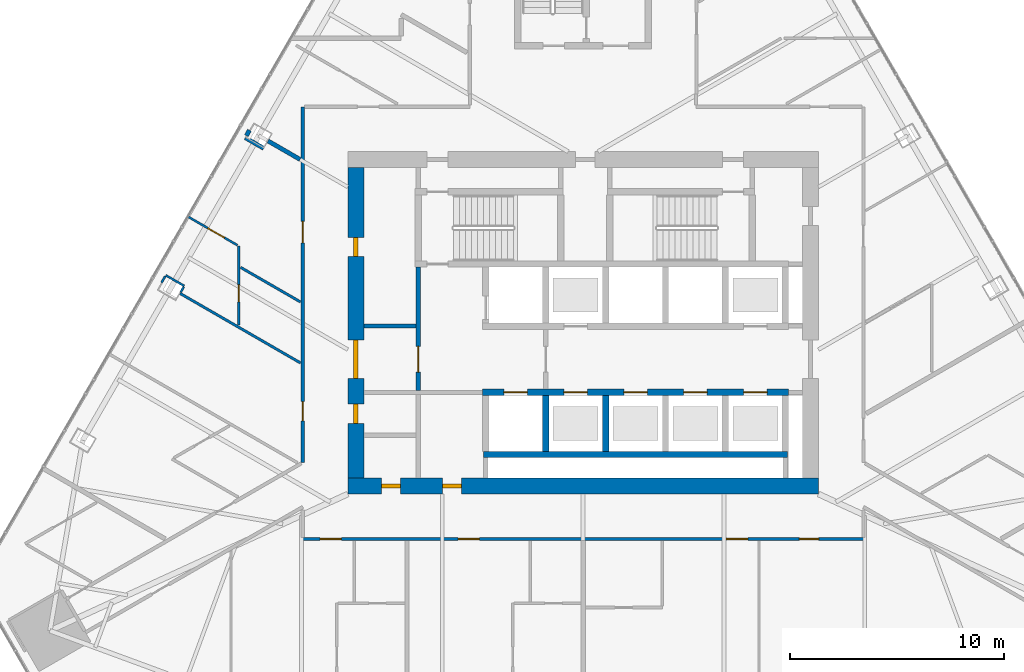
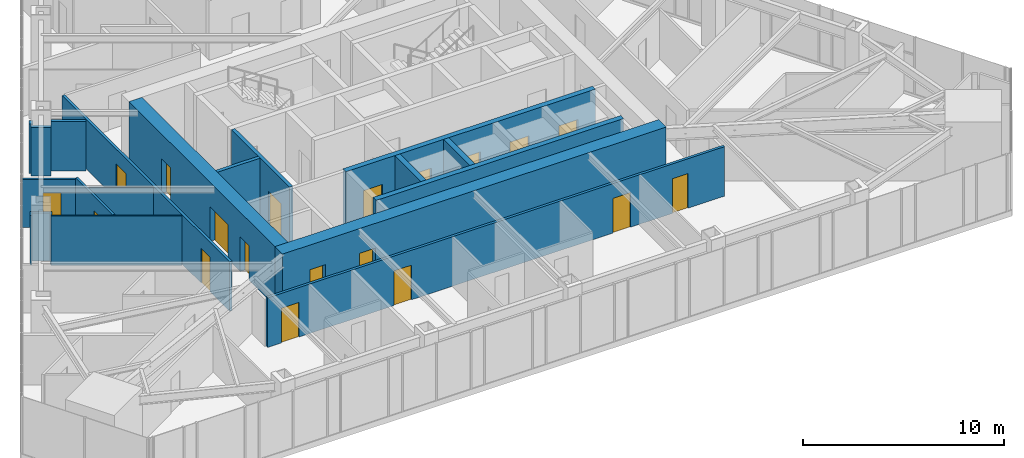
# One storey, part 19 of 24: 20 walls, 19 doors, 19 openings.
"""IFC4 building model written with IfcOpenShell, lengths in metres."""

from ifc_helpers import new_model, si_unit, direction, frame, frame_2d, origin, place, context, subcontext, project, spatial, rectangle, extrude, material, layer, layer_set, type_object, element, fill, save


model = new_model("IFC4")

# Units and contexts
model_context = context("Model", 3, precision=1e-05, world=origin(), true_north=direction((0.0, 1.0)))
body_context = subcontext(model_context, "Body", "Model", "MODEL_VIEW")
ifc_project = project(units=[si_unit("LENGTHUNIT", "METRE"), si_unit("AREAUNIT", "SQUARE_METRE"), si_unit("VOLUMEUNIT", "CUBIC_METRE"), si_unit("PLANEANGLEUNIT", "RADIAN"), si_unit("MASSUNIT", "GRAM", prefix="KILO")], contexts=[model_context])

# Site, building, storey
site_placement = place(None, origin())
site = spatial("IfcSite", under=ifc_project, at=site_placement, CompositionType="ELEMENT")
building_placement = place(site_placement, origin())
building = spatial("IfcBuilding", under=site, at=building_placement, Name="Firuza Gate Tower and Library", CompositionType="ELEMENT")
storey_placement = place(building_placement, frame((0.0, 0.0, 237.699951171875)))
storey = spatial("IfcBuildingStorey", under=building, at=storey_placement, Name="L56", CompositionType="ELEMENT", Elevation=237.699951171875)

# Wall
ifc_material_1 = material(Name="Plasterboard on steel studs", Category="steel")
ifc_layer_1 = layer(ifc_material_1, 0.199951171875)
ifc_layer_set_1 = layer_set([ifc_layer_1], Name="Core partition 200 EI 120")
wall_type_1 = type_object("IfcWallType", Name="Core partition 200 EI 120", PredefinedType="PARTITIONING", material=ifc_layer_set_1)
wall_1_placement = place(storey_placement, frame((64.75, 74.85009765625, 0.0), z_axis=(0.0, 0.0, 1.0), x_axis=(1.0, 0.0, 0.0)))
element("IfcWall", 1, at=wall_1_placement, inside=storey, type_object=wall_type_1, Name="Core partition L56 4", PredefinedType="PARTITIONING", context=body_context, shape_type="SweptSolid", body=[
    extrude(rectangle(XDim=2.449951171875, YDim=0.199951171875, at=frame_2d((1.22509765625, 0.0))), origin(), (0.0, 0.0, 1.0), 3.60009765625),
])

# Wall, opening, door
wall_2_placement = place(storey_placement, frame((67.300048828125, 71.85009765625, 0.0), z_axis=(0.0, 0.0, 1.0), x_axis=(0.0, 1.0, 0.0)))
wall_2 = element("IfcWall", 2, at=wall_2_placement, inside=storey, type_object=wall_type_1, Name="Core partition L56 8", PredefinedType="PARTITIONING", context=body_context, shape_type="SweptSolid", body=[
    extrude(rectangle(XDim=5.75, YDim=0.199951171875, at=frame_2d((2.875, 0.0))), origin(), (0.0, 0.0, 1.0), 3.60009765625),
])
opening_1_placement = place(wall_2_placement, frame((0.85009765625, 0.0, 0.0)))
opening_1 = element("IfcOpeningElement", 3, at=opening_1_placement, cuts=wall_2, Name="Opening L56-K19", PredefinedType="OPENING", context=body_context, shape_type="SweptSolid", body=[
    extrude(rectangle(XDim=1.199951171875, YDim=2.10009765625, at=frame_2d((0.60009765625, 1.050048828125))), frame((0.0, 0.10986328125, 0.0), z_axis=(0.0, -1.0, 0.0), x_axis=(1.0, 0.0, 0.0)), (0.0, 0.0, 1.0), 0.219970703125),
])
ifc_material_2 = material(Name="Steel", Category="steel")
door_type_1 = type_object("IfcDoorType", Name="Fire door 1200x2100 FD90S", OperationType="NOTDEFINED", PredefinedType="DOOR", material=ifc_material_2)
door_1_placement = place(opening_1_placement, origin())
door_1 = element("IfcDoor", 4, at=door_1_placement, inside=storey, type_object=door_type_1, Name="Door L56-K19", OperationType="SINGLE_SWING_RIGHT", OverallHeight=2.10009765625, OverallWidth=1.199951171875, PredefinedType="DOOR", context=body_context, shape_type="SweptSolid", body=[
    extrude(rectangle(XDim=1.199951171875, YDim=2.10009765625, at=frame_2d((0.60009765625, 1.050048828125))), frame((0.0, 0.02490234375, 0.0), z_axis=(0.0, -1.0, 0.0), x_axis=(1.0, 0.0, 0.0)), (0.0, 0.0, 1.0), 0.050048828125),
])
fill(opening_1, door_1)

# Wall
ifc_material_3 = material(Name="Concrete C80/95", Category="concrete")
ifc_layer_2 = layer(ifc_material_3, 0.300048828125)
ifc_layer_set_2 = layer_set([ifc_layer_2], Name="Core wall 300 C80/95")
wall_type_2 = type_object("IfcWallType", Name="Core wall 300 C80/95", PredefinedType="SHEAR", material=ifc_layer_set_2)
wall_3_placement = place(storey_placement, frame((70.35009765625, 68.85009765625, 0.0), z_axis=(0.0, 0.0, 1.0), x_axis=(1.0, 0.0, 0.0)))
element("IfcWall", 5, at=wall_3_placement, inside=storey, type_object=wall_type_2, Name="Core wall L56 5", PredefinedType="SHEAR", context=body_context, shape_type="SweptSolid", body=[
    extrude(rectangle(XDim=14.199951171875, YDim=0.300048828125, at=frame_2d((7.10009765625, 0.0))), origin(), (0.0, 0.0, 1.0), 3.60009765625),
])

# Wall, openings, doors
wall_4_placement = place(storey_placement, frame((70.300048828125, 71.75, 0.0), z_axis=(0.0, 0.0, 1.0), x_axis=(1.0, 0.0, 0.0)))
wall_4 = element("IfcWall", 6, at=wall_4_placement, inside=storey, type_object=wall_type_2, Name="Core wall L56 6", PredefinedType="SHEAR", context=body_context, shape_type="SweptSolid", body=[
    extrude(rectangle(XDim=14.300048828125, YDim=0.300048828125, at=frame_2d((7.14990234375, 0.0))), origin(), (0.0, 0.0, 1.0), 3.60009765625),
])
opening_2_placement = place(wall_4_placement, frame((1.0, 0.0, 0.0)))
opening_2 = element("IfcOpeningElement", 7, at=opening_2_placement, cuts=wall_4, Name="Opening LD-FF1-L56", PredefinedType="OPENING", context=body_context, shape_type="SweptSolid", body=[
    extrude(rectangle(XDim=1.10009765625, YDim=2.10009765625, at=frame_2d((0.550048828125, 1.050048828125))), frame((0.0, 0.16015625, 0.0), z_axis=(0.0, -1.0, 0.0), x_axis=(1.0, 0.0, 0.0)), (0.0, 0.0, 1.0), 0.320068359375),
])
opening_3_placement = place(wall_4_placement, frame((3.800048828125, 0.0, 0.0)))
opening_3 = element("IfcOpeningElement", 8, at=opening_3_placement, cuts=wall_4, Name="Opening LD-MR1-L56", PredefinedType="OPENING", context=body_context, shape_type="SweptSolid", body=[
    extrude(rectangle(XDim=1.10009765625, YDim=2.10009765625, at=frame_2d((0.550048828125, 1.050048828125))), frame((0.0, 0.16015625, 0.0), z_axis=(0.0, -1.0, 0.0), x_axis=(1.0, 0.0, 0.0)), (0.0, 0.0, 1.0), 0.320068359375),
])
opening_4_placement = place(wall_4_placement, frame((6.60009765625, 0.0, 0.0)))
opening_4 = element("IfcOpeningElement", 9, at=opening_4_placement, cuts=wall_4, Name="Opening LD-MR2-L56", PredefinedType="OPENING", context=body_context, shape_type="SweptSolid", body=[
    extrude(rectangle(XDim=1.10009765625, YDim=2.10009765625, at=frame_2d((0.550048828125, 1.050048828125))), frame((0.0, 0.16015625, 0.0), z_axis=(0.0, -1.0, 0.0), x_axis=(1.0, 0.0, 0.0)), (0.0, 0.0, 1.0), 0.320068359375),
])
opening_5_placement = place(wall_4_placement, frame((9.39990234375, 0.0, 0.0)))
opening_5 = element("IfcOpeningElement", 10, at=opening_5_placement, cuts=wall_4, Name="Opening LD-MR3-L56", PredefinedType="OPENING", context=body_context, shape_type="SweptSolid", body=[
    extrude(rectangle(XDim=1.10009765625, YDim=2.10009765625, at=frame_2d((0.550048828125, 1.050048828125))), frame((0.0, 0.16015625, 0.0), z_axis=(0.0, -1.0, 0.0), x_axis=(1.0, 0.0, 0.0)), (0.0, 0.0, 1.0), 0.320068359375),
])
opening_6_placement = place(wall_4_placement, frame((12.199951171875, 0.0, 0.0)))
opening_6 = element("IfcOpeningElement", 11, at=opening_6_placement, cuts=wall_4, Name="Opening LD-MR5-L56", PredefinedType="OPENING", context=body_context, shape_type="SweptSolid", body=[
    extrude(rectangle(XDim=1.10009765625, YDim=2.10009765625, at=frame_2d((0.550048828125, 1.050048828125))), frame((0.0, 0.16015625, 0.0), z_axis=(0.0, -1.0, 0.0), x_axis=(1.0, 0.0, 0.0)), (0.0, 0.0, 1.0), 0.320068359375),
])
ifc_material_4 = material(Name="Stainless steel", Category="steel")
door_type_2 = type_object("IfcDoorType", Name="Lift landing door 1100x2100", OperationType="DOUBLE_DOOR_SLIDING", PredefinedType="DOOR", material=ifc_material_4)
door_2_placement = place(opening_2_placement, origin())
door_2 = element("IfcDoor", 12, at=door_2_placement, inside=storey, type_object=door_type_2, Name="Landing door FF1 L56", OperationType="DOUBLE_DOOR_SLIDING", OverallHeight=2.10009765625, OverallWidth=1.10009765625, PredefinedType="DOOR", context=body_context, shape_type="SweptSolid", body=[
    extrude(rectangle(XDim=1.10009765625, YDim=2.10009765625, at=frame_2d((0.550048828125, 1.050048828125))), frame((0.0, 0.02490234375, 0.0), z_axis=(0.0, -1.0, 0.0), x_axis=(1.0, 0.0, 0.0)), (0.0, 0.0, 1.0), 0.050048828125),
])
fill(opening_2, door_2)
door_3_placement = place(opening_3_placement, origin())
door_3 = element("IfcDoor", 13, at=door_3_placement, inside=storey, type_object=door_type_2, Name="Landing door MR1 L56", OperationType="DOUBLE_DOOR_SLIDING", OverallHeight=2.10009765625, OverallWidth=1.10009765625, PredefinedType="DOOR", context=body_context, shape_type="SweptSolid", body=[
    extrude(rectangle(XDim=1.10009765625, YDim=2.10009765625, at=frame_2d((0.550048828125, 1.050048828125))), frame((0.0, 0.02490234375, 0.0), z_axis=(0.0, -1.0, 0.0), x_axis=(1.0, 0.0, 0.0)), (0.0, 0.0, 1.0), 0.050048828125),
])
fill(opening_3, door_3)
door_4_placement = place(opening_4_placement, origin())
door_4 = element("IfcDoor", 14, at=door_4_placement, inside=storey, type_object=door_type_2, Name="Landing door MR2 L56", OperationType="DOUBLE_DOOR_SLIDING", OverallHeight=2.10009765625, OverallWidth=1.10009765625, PredefinedType="DOOR", context=body_context, shape_type="SweptSolid", body=[
    extrude(rectangle(XDim=1.10009765625, YDim=2.10009765625, at=frame_2d((0.550048828125, 1.050048828125))), frame((0.0, 0.02490234375, 0.0), z_axis=(0.0, -1.0, 0.0), x_axis=(1.0, 0.0, 0.0)), (0.0, 0.0, 1.0), 0.050048828125),
])
fill(opening_4, door_4)
door_5_placement = place(opening_5_placement, origin())
door_5 = element("IfcDoor", 15, at=door_5_placement, inside=storey, type_object=door_type_2, Name="Landing door MR3 L56", OperationType="DOUBLE_DOOR_SLIDING", OverallHeight=2.10009765625, OverallWidth=1.10009765625, PredefinedType="DOOR", context=body_context, shape_type="SweptSolid", body=[
    extrude(rectangle(XDim=1.10009765625, YDim=2.10009765625, at=frame_2d((0.550048828125, 1.050048828125))), frame((0.0, 0.02490234375, 0.0), z_axis=(0.0, -1.0, 0.0), x_axis=(1.0, 0.0, 0.0)), (0.0, 0.0, 1.0), 0.050048828125),
])
fill(opening_5, door_5)
door_6_placement = place(opening_6_placement, origin())
door_6 = element("IfcDoor", 16, at=door_6_placement, inside=storey, type_object=door_type_2, Name="Landing door MR5 L56", OperationType="DOUBLE_DOOR_SLIDING", OverallHeight=2.10009765625, OverallWidth=1.10009765625, PredefinedType="DOOR", context=body_context, shape_type="SweptSolid", body=[
    extrude(rectangle(XDim=1.10009765625, YDim=2.10009765625, at=frame_2d((0.550048828125, 1.050048828125))), frame((0.0, 0.02490234375, 0.0), z_axis=(0.0, -1.0, 0.0), x_axis=(1.0, 0.0, 0.0)), (0.0, 0.0, 1.0), 0.050048828125),
])
fill(opening_6, door_6)

# Walls
for number, where, z_axis, x_axis, name in (
    (17, (73.25, 69.0, 0.0), (0.0, 0.0, 1.0), (0.0, 1.0, 0.0), "Core wall L56 10"),
    (18, (76.050048828125, 69.0, 0.0), (0.0, 0.0, 1.0), (0.0, 1.0, 0.0), "Core wall L56 12"),
):
    element("IfcWall", number, at=place(storey_placement, frame(where, z_axis=z_axis, x_axis=x_axis)), inside=storey, type_object=wall_type_2, Name=name, PredefinedType="SHEAR", context=body_context, shape_type="SweptSolid", body=[
        extrude(rectangle(XDim=2.60009765625, YDim=0.300048828125, at=frame_2d((1.300048828125, 0.0))), origin(), (0.0, 0.0, 1.0), 3.60009765625),
    ])

# Wall, openings, doors
ifc_material_5 = material(Name="Concrete C80/95", Category="concrete")
ifc_layer_3 = layer(ifc_material_5, 0.75)
ifc_layer_set_3 = layer_set([ifc_layer_3], Name="Core wall 750 C80/95")
wall_type_3 = type_object("IfcWallType", Name="Core wall 750 C80/95", PredefinedType="SHEAR", material=ifc_layer_set_3)
wall_5_placement = place(storey_placement, frame((64.0, 67.375, 0.0), z_axis=(0.0, 0.0, 1.0), x_axis=(1.0, 0.0, 0.0)))
wall_5 = element("IfcWall", 19, at=wall_5_placement, inside=storey, type_object=wall_type_3, Name="Core wall L56 1", PredefinedType="SHEAR", context=body_context, shape_type="SweptSolid", body=[
    extrude(rectangle(XDim=22.0, YDim=0.75, at=frame_2d((11.0, 0.0))), origin(), (0.0, 0.0, 1.0), 3.60009765625),
])
opening_7_placement = place(wall_5_placement, frame((1.574951171875, 0.0, 0.0)))
opening_7 = element("IfcOpeningElement", 20, at=opening_7_placement, cuts=wall_5, Name="Opening L56-K22", PredefinedType="OPENING", context=body_context, shape_type="SweptSolid", body=[
    extrude(rectangle(XDim=0.89990234375, YDim=2.10009765625, at=frame_2d((0.449951171875, 1.050048828125))), frame((0.0, 0.385009765625, 0.0), z_axis=(0.0, -1.0, 0.0), x_axis=(1.0, 0.0, 0.0)), (0.0, 0.0, 1.0), 0.77001953125),
])
opening_8_placement = place(wall_5_placement, frame((4.425048828125, 0.0, 0.0)))
opening_8 = element("IfcOpeningElement", 21, at=opening_8_placement, cuts=wall_5, Name="Opening L56-K24", PredefinedType="OPENING", context=body_context, shape_type="SweptSolid", body=[
    extrude(rectangle(XDim=0.89990234375, YDim=2.10009765625, at=frame_2d((0.449951171875, 1.050048828125))), frame((0.0, 0.385009765625, 0.0), z_axis=(0.0, -1.0, 0.0), x_axis=(1.0, 0.0, 0.0)), (0.0, 0.0, 1.0), 0.77001953125),
])
ifc_material_6 = material(Name="Steel", Category="steel")
door_type_3 = type_object("IfcDoorType", Name="Fire door 900x2100 FD30S", OperationType="NOTDEFINED", PredefinedType="DOOR", material=ifc_material_6)
door_7_placement = place(opening_7_placement, origin())
door_7 = element("IfcDoor", 22, at=door_7_placement, inside=storey, type_object=door_type_3, Name="Door L56-K22", OperationType="SINGLE_SWING_LEFT", OverallHeight=2.10009765625, OverallWidth=0.89990234375, PredefinedType="DOOR", context=body_context, shape_type="SweptSolid", body=[
    extrude(rectangle(XDim=0.89990234375, YDim=2.10009765625, at=frame_2d((0.449951171875, 1.050048828125))), frame((0.0, 0.094970703125, 0.0), z_axis=(0.0, -1.0, 0.0), x_axis=(1.0, 0.0, 0.0)), (0.0, 0.0, 1.0), 0.18994140625),
])
fill(opening_7, door_7)
door_8_placement = place(opening_8_placement, origin())
door_8 = element("IfcDoor", 23, at=door_8_placement, inside=storey, type_object=door_type_3, Name="Door L56-K24", OperationType="SINGLE_SWING_LEFT", OverallHeight=2.10009765625, OverallWidth=0.89990234375, PredefinedType="DOOR", context=body_context, shape_type="SweptSolid", body=[
    extrude(rectangle(XDim=0.89990234375, YDim=2.10009765625, at=frame_2d((0.449951171875, 1.050048828125))), frame((0.0, 0.094970703125, 0.0), z_axis=(0.0, -1.0, 0.0), x_axis=(1.0, 0.0, 0.0)), (0.0, 0.0, 1.0), 0.18994140625),
])
fill(opening_8, door_8)

wall_6_placement = place(storey_placement, frame((64.375, 67.75, 0.0), z_axis=(0.0, 0.0, 1.0), x_axis=(0.0, 1.0, 0.0)))
wall_6 = element("IfcWall", 24, at=wall_6_placement, inside=storey, type_object=wall_type_3, Name="Core wall L56 3", PredefinedType="SHEAR", context=body_context, shape_type="SweptSolid", body=[
    extrude(rectangle(XDim=14.5, YDim=0.75, at=frame_2d((7.25, 0.0))), origin(), (0.0, 0.0, 1.0), 3.60009765625),
])
opening_9_placement = place(wall_6_placement, frame((4.64990234375, 0.0, 0.0)))
opening_9 = element("IfcOpeningElement", 25, at=opening_9_placement, cuts=wall_6, Name="Opening L56-K20", PredefinedType="OPENING", context=body_context, shape_type="SweptSolid", body=[
    extrude(rectangle(XDim=1.800048828125, YDim=2.10009765625, at=frame_2d((0.89990234375, 1.050048828125))), frame((0.0, 0.385009765625, 0.0), z_axis=(0.0, -1.0, 0.0), x_axis=(1.0, 0.0, 0.0)), (0.0, 0.0, 1.0), 0.77001953125),
])
opening_10_placement = place(wall_6_placement, frame((2.550048828125, 0.0, 0.0)))
opening_10 = element("IfcOpeningElement", 26, at=opening_10_placement, cuts=wall_6, Name="Opening L56-K23", PredefinedType="OPENING", context=body_context, shape_type="SweptSolid", body=[
    extrude(rectangle(XDim=0.89990234375, YDim=2.10009765625, at=frame_2d((0.449951171875, 1.050048828125))), frame((0.0, 0.385009765625, 0.0), z_axis=(0.0, -1.0, 0.0), x_axis=(1.0, 0.0, 0.0)), (0.0, 0.0, 1.0), 0.77001953125),
])
opening_11_placement = place(wall_6_placement, frame((10.35009765625, 0.0, 0.0)))
opening_11 = element("IfcOpeningElement", 27, at=opening_11_placement, cuts=wall_6, Name="Opening L56-K25", PredefinedType="OPENING", context=body_context, shape_type="SweptSolid", body=[
    extrude(rectangle(XDim=0.89990234375, YDim=2.10009765625, at=frame_2d((0.449951171875, 1.050048828125))), frame((0.0, 0.385009765625, 0.0), z_axis=(0.0, -1.0, 0.0), x_axis=(1.0, 0.0, 0.0)), (0.0, 0.0, 1.0), 0.77001953125),
])
ifc_material_7 = material(Name="Steel", Category="steel")
door_type_4 = type_object("IfcDoorType", Name="Fire door 1800x2100 FD30S", OperationType="NOTDEFINED", PredefinedType="DOOR", material=ifc_material_7)
door_9_placement = place(opening_9_placement, origin())
door_9 = element("IfcDoor", 28, at=door_9_placement, inside=storey, type_object=door_type_4, Name="Door L56-K20", OperationType="SINGLE_SWING_LEFT", OverallHeight=2.10009765625, OverallWidth=1.800048828125, PredefinedType="DOOR", context=body_context, shape_type="SweptSolid", body=[
    extrude(rectangle(XDim=1.800048828125, YDim=2.10009765625, at=frame_2d((0.89990234375, 1.050048828125))), frame((0.0, 0.094970703125, 0.0), z_axis=(0.0, -1.0, 0.0), x_axis=(1.0, 0.0, 0.0)), (0.0, 0.0, 1.0), 0.18994140625),
])
fill(opening_9, door_9)
door_10_placement = place(opening_10_placement, origin())
door_10 = element("IfcDoor", 29, at=door_10_placement, inside=storey, type_object=door_type_3, Name="Door L56-K23", OperationType="SINGLE_SWING_RIGHT", OverallHeight=2.10009765625, OverallWidth=0.89990234375, PredefinedType="DOOR", context=body_context, shape_type="SweptSolid", body=[
    extrude(rectangle(XDim=0.89990234375, YDim=2.10009765625, at=frame_2d((0.449951171875, 1.050048828125))), frame((0.0, 0.094970703125, 0.0), z_axis=(0.0, -1.0, 0.0), x_axis=(1.0, 0.0, 0.0)), (0.0, 0.0, 1.0), 0.18994140625),
])
fill(opening_10, door_10)
door_11_placement = place(opening_11_placement, origin())
door_11 = element("IfcDoor", 30, at=door_11_placement, inside=storey, type_object=door_type_3, Name="Door L56-K25", OperationType="SINGLE_SWING_RIGHT", OverallHeight=2.10009765625, OverallWidth=0.89990234375, PredefinedType="DOOR", context=body_context, shape_type="SweptSolid", body=[
    extrude(rectangle(XDim=0.89990234375, YDim=2.10009765625, at=frame_2d((0.449951171875, 1.050048828125))), frame((0.0, 0.094970703125, 0.0), z_axis=(0.0, -1.0, 0.0), x_axis=(1.0, 0.0, 0.0)), (0.0, 0.0, 1.0), 0.18994140625),
])
fill(opening_11, door_11)

ifc_material_8 = material(Name="Gypsum board partition")
ifc_layer_4 = layer(ifc_material_8, 0.14990234375)
ifc_layer_set_4 = layer_set([ifc_layer_4], Name="Corridor wall 150 double board on steel studs")
wall_type_4 = type_object("IfcWallType", Name="Corridor wall 150 double board on steel studs", PredefinedType="PARTITIONING", material=ifc_layer_set_4)
wall_7_placement = place(storey_placement, frame((88.099365234375, 64.89990234375, 0.0), z_axis=(0.0, 0.0, 1.0), x_axis=(-1.0, 0.0, 0.0)))
wall_7 = element("IfcWall", 31, at=wall_7_placement, inside=storey, type_object=wall_type_4, Name="f:L56:w011", PredefinedType="PARTITIONING", context=body_context, shape_type="SweptSolid", body=[
    extrude(rectangle(XDim=26.199462890625, YDim=0.14990234375, at=frame_2d((13.099609375, 0.0))), origin(), (0.0, 0.0, 1.0), 3.0),
])
opening_12_placement = place(wall_7_placement, frame((2.08837890625, 0.0, 0.0)))
opening_12 = element("IfcOpeningElement", 32, at=opening_12_placement, cuts=wall_7, Name="Opening L56-04", PredefinedType="OPENING", context=body_context, shape_type="SweptSolid", body=[
    extrude(rectangle(XDim=0.89990234375, YDim=2.10009765625, at=frame_2d((0.449951171875, 1.050048828125))), frame((0.0, 0.0849609375, 0.0), z_axis=(0.0, -1.0, 0.0), x_axis=(1.0, 0.0, 0.0)), (0.0, 0.0, 1.0), 0.169921875),
])
opening_13_placement = place(wall_7_placement, frame((5.400390625, 0.0, 0.0)))
opening_13 = element("IfcOpeningElement", 33, at=opening_13_placement, cuts=wall_7, Name="Opening L56-05", PredefinedType="OPENING", context=body_context, shape_type="SweptSolid", body=[
    extrude(rectangle(XDim=1.0, YDim=2.10009765625, at=frame_2d((0.5, 1.050048828125))), frame((0.0, 0.0849609375, 0.0), z_axis=(0.0, -1.0, 0.0), x_axis=(1.0, 0.0, 0.0)), (0.0, 0.0, 1.0), 0.169921875),
])
opening_14_placement = place(wall_7_placement, frame((17.946044921875, 0.0, 0.0)))
opening_14 = element("IfcOpeningElement", 34, at=opening_14_placement, cuts=wall_7, Name="Opening L56-06", PredefinedType="OPENING", context=body_context, shape_type="SweptSolid", body=[
    extrude(rectangle(XDim=1.0, YDim=2.10009765625, at=frame_2d((0.5, 1.050048828125))), frame((0.0, 0.0849609375, 0.0), z_axis=(0.0, -1.0, 0.0), x_axis=(1.0, 0.0, 0.0)), (0.0, 0.0, 1.0), 0.169921875),
])
opening_15_placement = place(wall_7_placement, frame((24.39453125, 0.0, 0.0)))
opening_15 = element("IfcOpeningElement", 35, at=opening_15_placement, cuts=wall_7, Name="Opening L56-07", PredefinedType="OPENING", context=body_context, shape_type="SweptSolid", body=[
    extrude(rectangle(XDim=1.0, YDim=2.10009765625, at=frame_2d((0.5, 1.050048828125))), frame((0.0, 0.0849609375, 0.0), z_axis=(0.0, -1.0, 0.0), x_axis=(1.0, 0.0, 0.0)), (0.0, 0.0, 1.0), 0.169921875),
])
ifc_material_9 = material(Name="Steel door and timber leaf", Category="steel")
door_type_5 = type_object("IfcDoorType", Name="Fire door 1000 x 2100 steel frame, timber leaf", OperationType="NOTDEFINED", PredefinedType="DOOR", material=ifc_material_9)
door_12_placement = place(opening_13_placement, origin())
door_12 = element("IfcDoor", 36, at=door_12_placement, inside=storey, type_object=door_type_5, Name="f:L56:d005", OperationType="SINGLE_SWING_LEFT", OverallHeight=2.10009765625, OverallWidth=1.0, PredefinedType="DOOR", context=body_context, shape_type="SweptSolid", body=[
    extrude(rectangle(XDim=1.0, YDim=2.10009765625, at=frame_2d((0.5, 1.050048828125))), frame((0.0, 0.02490234375, 0.0), z_axis=(0.0, -1.0, 0.0), x_axis=(1.0, 0.0, 0.0)), (0.0, 0.0, 1.0), 0.050048828125),
])
fill(opening_13, door_12)
door_13_placement = place(opening_14_placement, origin())
door_13 = element("IfcDoor", 37, at=door_13_placement, inside=storey, type_object=door_type_5, Name="f:L56:d006", OperationType="SINGLE_SWING_RIGHT", OverallHeight=2.10009765625, OverallWidth=1.0, PredefinedType="DOOR", context=body_context, shape_type="SweptSolid", body=[
    extrude(rectangle(XDim=1.0, YDim=2.10009765625, at=frame_2d((0.5, 1.050048828125))), frame((0.0, 0.02490234375, 0.0), z_axis=(0.0, -1.0, 0.0), x_axis=(1.0, 0.0, 0.0)), (0.0, 0.0, 1.0), 0.050048828125),
])
fill(opening_14, door_13)
door_14_placement = place(opening_15_placement, origin())
door_14 = element("IfcDoor", 38, at=door_14_placement, inside=storey, type_object=door_type_5, Name="f:L56:d007", OperationType="SINGLE_SWING_LEFT", OverallHeight=2.10009765625, OverallWidth=1.0, PredefinedType="DOOR", context=body_context, shape_type="SweptSolid", body=[
    extrude(rectangle(XDim=1.0, YDim=2.10009765625, at=frame_2d((0.5, 1.050048828125))), frame((0.0, 0.02490234375, 0.0), z_axis=(0.0, -1.0, 0.0), x_axis=(1.0, 0.0, 0.0)), (0.0, 0.0, 1.0), 0.050048828125),
])
fill(opening_15, door_14)
ifc_material_10 = material(Name="Steel door and timber leaf", Category="steel")
door_type_6 = type_object("IfcDoorType", Name="Fire door 900 x 2100 steel frame, timber leaf", OperationType="NOTDEFINED", PredefinedType="DOOR", material=ifc_material_10)
door_15_placement = place(opening_12_placement, origin())
door_15 = element("IfcDoor", 39, at=door_15_placement, inside=storey, type_object=door_type_6, Name="f:L56:d004", OperationType="SINGLE_SWING_LEFT", OverallHeight=2.10009765625, OverallWidth=0.89990234375, PredefinedType="DOOR", context=body_context, shape_type="SweptSolid", body=[
    extrude(rectangle(XDim=0.89990234375, YDim=2.10009765625, at=frame_2d((0.449951171875, 1.050048828125))), frame((0.0, 0.02490234375, 0.0), z_axis=(0.0, -1.0, 0.0), x_axis=(1.0, 0.0, 0.0)), (0.0, 0.0, 1.0), 0.050048828125),
])
fill(opening_12, door_15)

wall_8_placement = place(storey_placement, frame((61.89990234375, 68.47607421875, 0.0), z_axis=(0.0, 0.0, 1.0), x_axis=(0.0, 1.0, 0.0)))
wall_8 = element("IfcWall", 40, at=wall_8_placement, inside=storey, type_object=wall_type_4, Name="f:L56:w066", PredefinedType="PARTITIONING", context=body_context, shape_type="SweptSolid", body=[
    extrude(rectangle(XDim=16.62353515625, YDim=0.14990234375, at=frame_2d((8.311767578125, 0.0))), origin(), (0.0, 0.0, 1.0), 3.0),
])
opening_16_placement = place(wall_8_placement, frame((1.9462890625, 0.0, 0.0)))
opening_16 = element("IfcOpeningElement", 41, at=opening_16_placement, cuts=wall_8, Name="Opening L56-32", PredefinedType="OPENING", context=body_context, shape_type="SweptSolid", body=[
    extrude(rectangle(XDim=0.89990234375, YDim=2.10009765625, at=frame_2d((0.449951171875, 1.050048828125))), frame((0.0, 0.0849609375, 0.0), z_axis=(0.0, -1.0, 0.0), x_axis=(1.0, 0.0, 0.0)), (0.0, 0.0, 1.0), 0.169921875),
])
opening_17_placement = place(wall_8_placement, frame((10.26318359375, 0.0, 0.0)))
opening_17 = element("IfcOpeningElement", 42, at=opening_17_placement, cuts=wall_8, Name="Opening L56-33", PredefinedType="OPENING", context=body_context, shape_type="SweptSolid", body=[
    extrude(rectangle(XDim=1.0, YDim=2.10009765625, at=frame_2d((0.5, 1.050048828125))), frame((0.0, 0.0849609375, 0.0), z_axis=(0.0, -1.0, 0.0), x_axis=(1.0, 0.0, 0.0)), (0.0, 0.0, 1.0), 0.169921875),
])
door_16_placement = place(opening_17_placement, origin())
door_16 = element("IfcDoor", 43, at=door_16_placement, inside=storey, type_object=door_type_5, Name="f:L56:d033", OperationType="SINGLE_SWING_LEFT", OverallHeight=2.10009765625, OverallWidth=1.0, PredefinedType="DOOR", context=body_context, shape_type="SweptSolid", body=[
    extrude(rectangle(XDim=1.0, YDim=2.10009765625, at=frame_2d((0.5, 1.050048828125))), frame((0.0, 0.02490234375, 0.0), z_axis=(0.0, -1.0, 0.0), x_axis=(1.0, 0.0, 0.0)), (0.0, 0.0, 1.0), 0.050048828125),
])
fill(opening_17, door_16)
door_17_placement = place(opening_16_placement, origin())
door_17 = element("IfcDoor", 44, at=door_17_placement, inside=storey, type_object=door_type_6, Name="f:L56:d032", OperationType="SINGLE_SWING_RIGHT", OverallHeight=2.10009765625, OverallWidth=0.89990234375, PredefinedType="DOOR", context=body_context, shape_type="SweptSolid", body=[
    extrude(rectangle(XDim=0.89990234375, YDim=2.10009765625, at=frame_2d((0.449951171875, 1.050048828125))), frame((0.0, 0.02490234375, 0.0), z_axis=(0.0, -1.0, 0.0), x_axis=(1.0, 0.0, 0.0)), (0.0, 0.0, 1.0), 0.050048828125),
])
fill(opening_16, door_17)

# Walls
ifc_material_11 = material(Name="Gypsum board partition")
ifc_layer_5 = layer(ifc_material_11, 0.199951171875)
ifc_layer_set_5 = layer_set([ifc_layer_5], Name="Demising wall 200 acoustic double stud")
wall_type_5 = type_object("IfcWallType", Name="Demising wall 200 acoustic double stud", PredefinedType="PARTITIONING", material=ifc_layer_set_5)
wall_9_placement = place(storey_placement, frame((59.26318359375, 83.750732421875, 0.0), z_axis=(0.0, 0.0, 1.0), x_axis=(0.499941024108, 0.866059450854, 0.0)))
element("IfcWall", 45, at=wall_9_placement, inside=storey, type_object=wall_type_5, Name="f:L56:w038", PredefinedType="PARTITIONING", context=body_context, shape_type="SweptSolid", body=[
    extrude(rectangle(XDim=0.2900390625, YDim=0.199951171875, at=frame_2d((0.14501953125, 0.0))), origin(), (0.0, 0.0, 1.0), 3.0),
])
wall_10_placement = place(storey_placement, frame((61.773193359375, 82.63671875, 0.0), z_axis=(0.0, 0.0, 1.0), x_axis=(-0.866082241464, 0.499901541327, 0.0)))
element("IfcWall", 46, at=wall_10_placement, inside=storey, type_object=wall_type_5, Name="f:L56:w084", PredefinedType="PARTITIONING", context=body_context, shape_type="SweptSolid", body=[
    extrude(rectangle(XDim=1.730712890625, YDim=0.199951171875, at=frame_2d((0.865234375, 0.0))), origin(), (0.0, 0.0, 1.0), 3.0),
])
wall_11_placement = place(storey_placement, frame((60.07421875, 83.15576171875, 0.0), z_axis=(0.0, 0.0, 1.0), x_axis=(-0.866010750942, 0.50002537861, 0.0)))
element("IfcWall", 47, at=wall_11_placement, inside=storey, type_object=wall_type_5, Name="f:L56:w085", PredefinedType="PARTITIONING", context=body_context, shape_type="SweptSolid", body=[
    extrude(rectangle(XDim=1.0, YDim=0.199951171875, at=frame_2d((0.5, 0.0))), origin(), (0.0, 0.0, 1.0), 2.922119140625),
])
ifc_material_12 = material(Name="Gypsum board partition")
ifc_layer_6 = layer(ifc_material_12, 0.10009765625)
ifc_layer_set_6 = layer_set([ifc_layer_6], Name="Partition 100 gypsum board on steel studs")
wall_type_6 = type_object("IfcWallType", Name="Partition 100 gypsum board on steel studs", PredefinedType="PARTITIONING", material=ifc_layer_set_6)
wall_12_placement = place(storey_placement, frame((56.191650390625, 76.430908203125, 0.0), z_axis=(0.0, 0.0, 1.0), x_axis=(0.500136839105, 0.865946385275, 0.0)))
element("IfcWall", 48, at=wall_12_placement, inside=storey, type_object=wall_type_6, Name="f:L56:w036", PredefinedType="PARTITIONING", context=body_context, shape_type="SweptSolid", body=[
    extrude(rectangle(XDim=0.2890625, YDim=0.10009765625, at=frame_2d((0.14453125, 0.0))), origin(), (0.0, 0.0, 1.0), 3.0),
])
wall_13_placement = place(storey_placement, frame((55.295654296875, 76.87890625, 0.0), z_axis=(0.0, 0.0, 1.0), x_axis=(0.500126092966, 0.865952591736, 0.0)))
element("IfcWall", 49, at=wall_13_placement, inside=storey, type_object=wall_type_6, Name="f:L56:w037", PredefinedType="PARTITIONING", context=body_context, shape_type="SweptSolid", body=[
    extrude(rectangle(XDim=0.34912109375, YDim=0.10009765625, at=frame_2d((0.174560546875, 0.0))), origin(), (0.0, 0.0, 1.0), 3.0),
])

# Wall, opening, door
wall_14_placement = place(storey_placement, frame((58.84033203125, 78.631591796875, 0.0), z_axis=(0.0, 0.0, 1.0), x_axis=(-0.866049230234, 0.499958729108, 0.0)))
wall_14 = element("IfcWall", 50, at=wall_14_placement, inside=storey, type_object=wall_type_6, Name="f:L56:w087", PredefinedType="PARTITIONING", context=body_context, shape_type="SweptSolid", body=[
    extrude(rectangle(XDim=2.653564453125, YDim=0.10009765625, at=frame_2d((1.32666015625, 0.0))), origin(), (0.0, 0.0, 1.0), 2.922119140625),
])
opening_18_placement = place(wall_14_placement, frame((0.69677734375, 0.0, 0.0)))
opening_18 = element("IfcOpeningElement", 51, at=opening_18_placement, cuts=wall_14, Name="Opening L56-38", PredefinedType="OPENING", context=body_context, shape_type="SweptSolid", body=[
    extrude(rectangle(XDim=0.89990234375, YDim=2.10009765625, at=frame_2d((0.449951171875, 1.050048828125))), frame((0.0, 0.06005859375, 0.0), z_axis=(0.0, -1.0, 0.0), x_axis=(1.0, 0.0, 0.0)), (0.0, 0.0, 1.0), 0.1201171875),
])
ifc_material_13 = material(Name="Timber door", Category="wood")
door_type_7 = type_object("IfcDoorType", Name="Door 900 x 2100 timber leaf", OperationType="NOTDEFINED", PredefinedType="DOOR", material=ifc_material_13)
door_18_placement = place(opening_18_placement, origin())
door_18 = element("IfcDoor", 52, at=door_18_placement, inside=storey, type_object=door_type_7, Name="f:L56:d038", OperationType="SINGLE_SWING_RIGHT", OverallHeight=2.10009765625, OverallWidth=0.89990234375, PredefinedType="DOOR", context=body_context, shape_type="SweptSolid", body=[
    extrude(rectangle(XDim=0.89990234375, YDim=2.10009765625, at=frame_2d((0.449951171875, 1.050048828125))), frame((0.0, 0.02490234375, 0.0), z_axis=(0.0, -1.0, 0.0), x_axis=(1.0, 0.0, 0.0)), (0.0, 0.0, 1.0), 0.050048828125),
])
fill(opening_18, door_18)

# Wall
wall_15_placement = place(storey_placement, frame((56.36083984375, 76.724853515625, 0.0), z_axis=(0.0, 0.0, 1.0), x_axis=(-0.866039090965, 0.499976292358, 0.0)))
element("IfcWall", 53, at=wall_15_placement, inside=storey, type_object=wall_type_6, Name="f:L56:w089", PredefinedType="PARTITIONING", context=body_context, shape_type="SweptSolid", body=[
    extrude(rectangle(XDim=0.9990234375, YDim=0.10009765625, at=frame_2d((0.49951171875, 0.0))), origin(), (0.0, 0.0, 1.0), 2.922119140625),
])

# Wall, opening, door
ifc_material_14 = material(Name="Gypsum board partition")
ifc_layer_7 = layer(ifc_material_14, 0.1201171875)
ifc_layer_set_7 = layer_set([ifc_layer_7], Name="Wet-area partition 120 moisture-resistant board")
wall_type_7 = type_object("IfcWallType", Name="Wet-area partition 120 moisture-resistant board", PredefinedType="PARTITIONING", material=ifc_layer_set_7)
wall_16_placement = place(storey_placement, frame((58.89990234375, 78.596435546875, 0.0), z_axis=(0.0, 0.0, 1.0), x_axis=(0.0, -1.0, 0.0)))
wall_16 = element("IfcWall", 54, at=wall_16_placement, inside=storey, type_object=wall_type_7, Name="f:L56:w068", PredefinedType="PARTITIONING", context=body_context, shape_type="SweptSolid", body=[
    extrude(rectangle(XDim=3.68994140625, YDim=0.1201171875, at=frame_2d((1.844970703125, 0.0))), origin(), (0.0, 0.0, 1.0), 3.0),
])
opening_19_placement = place(wall_16_placement, frame((1.81982421875, 0.0, 0.0)))
opening_19 = element("IfcOpeningElement", 55, at=opening_19_placement, cuts=wall_16, Name="Opening L56-34", PredefinedType="OPENING", context=body_context, shape_type="SweptSolid", body=[
    extrude(rectangle(XDim=0.800048828125, YDim=2.10009765625, at=frame_2d((0.39990234375, 1.050048828125))), frame((0.0, 0.070068359375, 0.0), z_axis=(0.0, -1.0, 0.0), x_axis=(1.0, 0.0, 0.0)), (0.0, 0.0, 1.0), 0.14013671875),
])
ifc_material_15 = material(Name="Timber door", Category="wood")
door_type_8 = type_object("IfcDoorType", Name="Door 800 x 2100 timber leaf", OperationType="NOTDEFINED", PredefinedType="DOOR", material=ifc_material_15)
door_19_placement = place(opening_19_placement, origin())
door_19 = element("IfcDoor", 56, at=door_19_placement, inside=storey, type_object=door_type_8, Name="f:L56:d034", OperationType="SINGLE_SWING_RIGHT", OverallHeight=2.10009765625, OverallWidth=0.800048828125, PredefinedType="DOOR", context=body_context, shape_type="SweptSolid", body=[
    extrude(rectangle(XDim=0.800048828125, YDim=2.10009765625, at=frame_2d((0.39990234375, 1.050048828125))), frame((0.0, 0.02490234375, 0.0), z_axis=(0.0, -1.0, 0.0), x_axis=(1.0, 0.0, 0.0)), (0.0, 0.0, 1.0), 0.050048828125),
])
fill(opening_19, door_19)

# Walls
wall_17_placement = place(storey_placement, frame((61.790283203125, 75.97802734375, 0.0), z_axis=(0.0, 0.0, 1.0), x_axis=(-0.866033195618, 0.499986503906, 0.0)))
element("IfcWall", 57, at=wall_17_placement, inside=storey, type_object=wall_type_7, Name="f:L56:w088", PredefinedType="PARTITIONING", context=body_context, shape_type="SweptSolid", body=[
    extrude(rectangle(XDim=3.22802734375, YDim=0.1201171875, at=frame_2d((1.614013671875, 0.0))), origin(), (0.0, 0.0, 1.0), 3.0),
])
wall_18_placement = place(storey_placement, frame((61.790283203125, 73.128173828125, 0.0), z_axis=(0.0, 0.0, 1.0), x_axis=(-0.866022320763, 0.500005339912, 0.0)))
element("IfcWall", 58, at=wall_18_placement, inside=storey, type_object=wall_type_7, Name="f:L56:w090", PredefinedType="PARTITIONING", context=body_context, shape_type="SweptSolid", body=[
    extrude(rectangle(XDim=6.49951171875, YDim=0.1201171875, at=frame_2d((3.249755859375, 0.0))), origin(), (0.0, 0.0, 1.0), 3.0),
])

save(model, "model.ifc")
